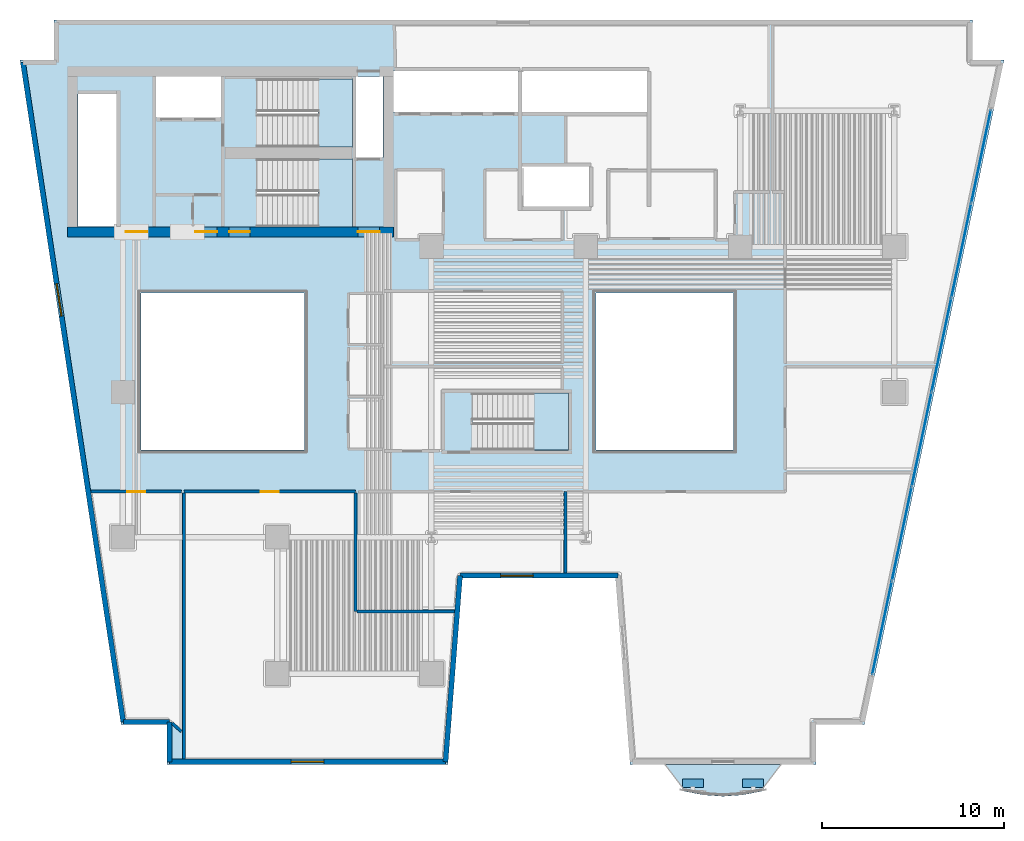
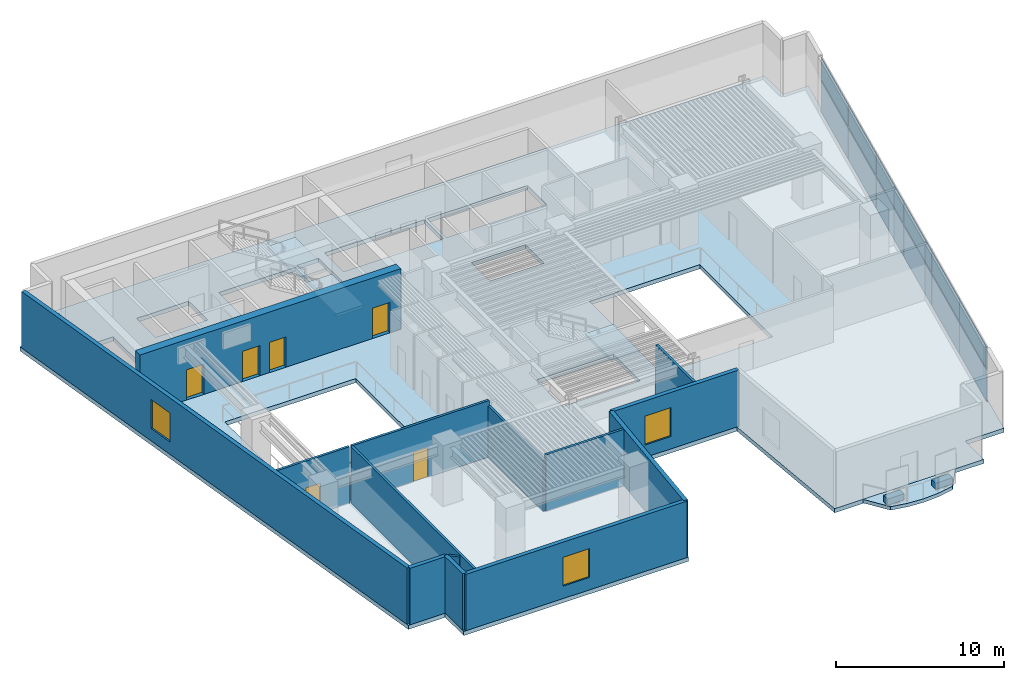
# One storey, part 3 of 11: 14 plates, 14 walls, 6 doors, 5 slabs, 3 windows, 9 openings, 4 elements without a shape of their own.
"""IFC4 building model written with IfcOpenShell, lengths in metres."""

from ifc_helpers import new_model, si_unit, direction, frame, frame_2d, origin, origin_2d, place, context, subcontext, project, spatial, polyline, rectangle, outline, extrude, material, layer, layer_set, type_object, element, fill, aggregate, save


model = new_model("IFC4")

# Units and contexts
model_context = context("Model", 3, precision=1e-05, world=origin(), true_north=direction((0.0, 1.0)))
body_context = subcontext(model_context, "Body", "Model", "MODEL_VIEW")
ifc_project = project(units=[si_unit("LENGTHUNIT", "METRE"), si_unit("AREAUNIT", "SQUARE_METRE"), si_unit("VOLUMEUNIT", "CUBIC_METRE"), si_unit("PLANEANGLEUNIT", "RADIAN"), si_unit("MASSUNIT", "GRAM", prefix="KILO")], contexts=[model_context])

# Site, building, storey
site_placement = place(None, origin())
site = spatial("IfcSite", under=ifc_project, at=site_placement, CompositionType="ELEMENT")
building_placement = place(site_placement, origin())
building = spatial("IfcBuilding", under=site, at=building_placement, Name="Caeloran Harvest Quay", CompositionType="ELEMENT")
storey_placement = place(building_placement, frame((0.0, 0.0, 66.60009765625)))
storey = spatial("IfcBuildingStorey", under=building, at=storey_placement, Name="L15", CompositionType="ELEMENT", Elevation=66.60009765625)

# Slab
ifc_material_1 = material(Name="Concrete C50/60", Category="concrete")
ifc_layer_1 = layer(ifc_material_1, 0.260009765625, Name="Concrete C50/60")
ifc_layer_set_1 = layer_set([ifc_layer_1], Name="Concrete C50/60")
slab_type_1 = type_object("IfcSlabType", Name="BALCONY-BL-260", PredefinedType="FLOOR", material=ifc_layer_set_1)
slab_1_placement = place(storey_placement, frame((0.0, 0.0, -0.260009765625)))
element("IfcSlab", 1, at=slab_1_placement, inside=storey, type_object=slab_type_1, Name="L15 Scalloped Cantilevered Planted Balcony Slab", PredefinedType="FLOOR", context=body_context, shape_type="SweptSolid", body=[
    extrude(outline(polyline([(43.686767578125, 1.0126953125), (42.622802734375, 0.809814453125), (41.55859375, 0.735595703125), (40.494384765625, 0.809814453125), (39.43017578125, 1.0126953125), (38.380126953125, 2.5), (44.73681640625, 2.5), (43.686767578125, 1.0126953125)])), origin(), (0.0, 0.0, 1.0), 0.260009765625),
])

# Curtain wall, plates
ifc_material_2 = material(Name="Aluminium 6063-T6 and Low-E Glazing", Category="aluminium")
ifc_layer_2 = layer(ifc_material_2, 0.199951171875, Name="Aluminium 6063-T6 and Low-E Glazing")
ifc_layer_set_2 = layer_set([ifc_layer_2], Name="Aluminium 6063-T6 and Low-E Glazing")
curtain_wall_type = type_object("IfcCurtainWallType", Name="CW-SYS-CW-2", PredefinedType="USERDEFINED", material=ifc_layer_set_2)
curtain_wall_placement = place(storey_placement, origin())
curtain_wall = element("IfcCurtainWall", 2, at=curtain_wall_placement, inside=storey, type_object=curtain_wall_type, Name="L15 Unitised Curtain Wall CW-2 Run 9", ObjectType="CURTAIN_WALL", PredefinedType="USERDEFINED")
ifc_material_3 = material(Name="Low-E Double Glazed Vision Glass Unit", Category="glass")
ifc_layer_3 = layer(ifc_material_3, 0.035888671875, Name="Low-E Double Glazed Vision Glass Unit")
ifc_layer_set_3 = layer_set([ifc_layer_3], Name="Low-E Double Glazed Vision Glass Unit")
plate_type_1 = type_object("IfcPlateType", Name="CW-VISION-PANEL", PredefinedType="CURTAIN_PANEL", material=ifc_layer_set_3)
plate_1_placement = place(storey_placement, frame((55.780029296875, 35.993408203125, 0.080078125), z_axis=(0.0, 0.0, 1.0), x_axis=(-0.205582960081, -0.978639691881, 0.0)))
plate_1 = element("IfcPlate", 3, at=plate_1_placement, type_object=plate_type_1, Name="CW-2 panel 1.1", PredefinedType="CURTAIN_PANEL", context=body_context, shape_type="SweptSolid", body=[
    extrude(rectangle(XDim=5.19873046875, YDim=0.035888671875, at=origin_2d()), origin(), (0.0, 0.0, 1.0), 2.280029296875),
])
plate_2_placement = place(storey_placement, frame((55.780029296875, 35.993408203125, 2.43994140625), z_axis=(0.0, 0.0, 1.0), x_axis=(-0.205582960081, -0.978639691881, 0.0)))
plate_2 = element("IfcPlate", 4, at=plate_2_placement, type_object=plate_type_1, Name="CW-2 panel 1.2", PredefinedType="CURTAIN_PANEL", context=body_context, shape_type="SweptSolid", body=[
    extrude(rectangle(XDim=5.19873046875, YDim=0.035888671875, at=origin_2d()), origin(), (0.0, 0.0, 1.0), 1.580078125),
])
plate_3_placement = place(storey_placement, frame((54.690673828125, 30.807861328125, 0.080078125), z_axis=(0.0, 0.0, 1.0), x_axis=(-0.205582960081, -0.978639691881, 0.0)))
plate_3 = element("IfcPlate", 5, at=plate_3_placement, type_object=plate_type_1, Name="CW-2 panel 2.1", PredefinedType="CURTAIN_PANEL", context=body_context, shape_type="SweptSolid", body=[
    extrude(rectangle(XDim=5.23876953125, YDim=0.035888671875, at=origin_2d()), origin(), (0.0, 0.0, 1.0), 2.280029296875),
])
plate_4_placement = place(storey_placement, frame((54.690673828125, 30.807861328125, 2.43994140625), z_axis=(0.0, 0.0, 1.0), x_axis=(-0.205582960081, -0.978639691881, 0.0)))
plate_4 = element("IfcPlate", 6, at=plate_4_placement, type_object=plate_type_1, Name="CW-2 panel 2.2", PredefinedType="CURTAIN_PANEL", context=body_context, shape_type="SweptSolid", body=[
    extrude(rectangle(XDim=5.23876953125, YDim=0.035888671875, at=origin_2d()), origin(), (0.0, 0.0, 1.0), 1.580078125),
])
plate_5_placement = place(storey_placement, frame((53.59716796875, 25.6025390625, 0.080078125), z_axis=(0.0, 0.0, 1.0), x_axis=(-0.205582960081, -0.978639691881, 0.0)))
plate_5 = element("IfcPlate", 7, at=plate_5_placement, type_object=plate_type_1, Name="CW-2 panel 3.1", PredefinedType="CURTAIN_PANEL", context=body_context, shape_type="SweptSolid", body=[
    extrude(rectangle(XDim=5.23876953125, YDim=0.035888671875, at=origin_2d()), origin(), (0.0, 0.0, 1.0), 2.280029296875),
])
plate_6_placement = place(storey_placement, frame((53.59716796875, 25.6025390625, 2.43994140625), z_axis=(0.0, 0.0, 1.0), x_axis=(-0.205582960081, -0.978639691881, 0.0)))
plate_6 = element("IfcPlate", 8, at=plate_6_placement, type_object=plate_type_1, Name="CW-2 panel 3.2", PredefinedType="CURTAIN_PANEL", context=body_context, shape_type="SweptSolid", body=[
    extrude(rectangle(XDim=5.23876953125, YDim=0.035888671875, at=origin_2d()), origin(), (0.0, 0.0, 1.0), 1.580078125),
])
plate_7_placement = place(storey_placement, frame((52.503662109375, 20.3974609375, 0.080078125), z_axis=(0.0, 0.0, 1.0), x_axis=(-0.205582960081, -0.978639691881, 0.0)))
plate_7 = element("IfcPlate", 9, at=plate_7_placement, type_object=plate_type_1, Name="CW-2 panel 4.1", PredefinedType="CURTAIN_PANEL", context=body_context, shape_type="SweptSolid", body=[
    extrude(rectangle(XDim=5.23876953125, YDim=0.035888671875, at=origin_2d()), origin(), (0.0, 0.0, 1.0), 2.280029296875),
])
plate_8_placement = place(storey_placement, frame((52.503662109375, 20.3974609375, 2.43994140625), z_axis=(0.0, 0.0, 1.0), x_axis=(-0.205582960081, -0.978639691881, 0.0)))
plate_8 = element("IfcPlate", 10, at=plate_8_placement, type_object=plate_type_1, Name="CW-2 panel 4.2", PredefinedType="CURTAIN_PANEL", context=body_context, shape_type="SweptSolid", body=[
    extrude(rectangle(XDim=5.23876953125, YDim=0.035888671875, at=origin_2d()), origin(), (0.0, 0.0, 1.0), 1.580078125),
])
plate_9_placement = place(storey_placement, frame((51.41015625, 15.192138671875, 0.080078125), z_axis=(0.0, 0.0, 1.0), x_axis=(-0.205582960081, -0.978639691881, 0.0)))
plate_9 = element("IfcPlate", 11, at=plate_9_placement, type_object=plate_type_1, Name="CW-2 panel 5.1", PredefinedType="CURTAIN_PANEL", context=body_context, shape_type="SweptSolid", body=[
    extrude(rectangle(XDim=5.23876953125, YDim=0.035888671875, at=origin_2d()), origin(), (0.0, 0.0, 1.0), 2.280029296875),
])
plate_10_placement = place(storey_placement, frame((51.41015625, 15.192138671875, 2.43994140625), z_axis=(0.0, 0.0, 1.0), x_axis=(-0.205582960081, -0.978639691881, 0.0)))
plate_10 = element("IfcPlate", 12, at=plate_10_placement, type_object=plate_type_1, Name="CW-2 panel 5.2", PredefinedType="CURTAIN_PANEL", context=body_context, shape_type="SweptSolid", body=[
    extrude(rectangle(XDim=5.23876953125, YDim=0.035888671875, at=origin_2d()), origin(), (0.0, 0.0, 1.0), 1.580078125),
])
plate_11_placement = place(storey_placement, frame((50.321044921875, 10.006591796875, 0.080078125), z_axis=(0.0, 0.0, 1.0), x_axis=(-0.205582960081, -0.978639691881, 0.0)))
plate_11 = element("IfcPlate", 13, at=plate_11_placement, type_object=plate_type_1, Name="CW-2 panel 6.1", PredefinedType="CURTAIN_PANEL", context=body_context, shape_type="SweptSolid", body=[
    extrude(rectangle(XDim=5.19873046875, YDim=0.035888671875, at=origin_2d()), origin(), (0.0, 0.0, 1.0), 2.280029296875),
])
plate_12_placement = place(storey_placement, frame((50.321044921875, 10.006591796875, 2.43994140625), z_axis=(0.0, 0.0, 1.0), x_axis=(-0.205582960081, -0.978639691881, 0.0)))
plate_12 = element("IfcPlate", 14, at=plate_12_placement, type_object=plate_type_1, Name="CW-2 panel 6.2", PredefinedType="CURTAIN_PANEL", context=body_context, shape_type="SweptSolid", body=[
    extrude(rectangle(XDim=5.19873046875, YDim=0.035888671875, at=origin_2d()), origin(), (0.0, 0.0, 1.0), 1.580078125),
])
aggregate(curtain_wall, [plate_1, plate_2, plate_3, plate_4, plate_5, plate_6, plate_7, plate_8, plate_9, plate_10, plate_11, plate_12])

# Plates
ifc_material_4 = material(Name="Precast concrete C50/60", Category="concrete")
ifc_layer_4 = layer(ifc_material_4, 0.449951171875, Name="Precast concrete C50/60")
ifc_layer_set_4 = layer_set([ifc_layer_4], Name="Precast concrete C50/60")
plate_type_2 = type_object("IfcPlateType", Name="PLANTER-TROUGH-450", PredefinedType="USERDEFINED", material=ifc_layer_set_4)
for number, where, z_axis, x_axis, name in (
    (15, (43.218505859375, 1.459228515625, 0.0), (0.0, 0.0, 1.0), (1.0, 0.0, 0.0), "L15 Balcony Vertical-Greenery Precast PLANTER Trough 1"),
    (16, (39.8984375, 1.459228515625, 0.0), (0.0, 0.0, 1.0), (1.0, 0.0, 0.0), "L15 Balcony Vertical-Greenery Precast PLANTER Trough 2"),
):
    element("IfcPlate", number, at=place(storey_placement, frame(where, z_axis=z_axis, x_axis=x_axis)), inside=storey, type_object=plate_type_2, Name=name, ObjectType="PLANTER", PredefinedType="USERDEFINED", context=body_context, shape_type="SweptSolid", body=[
        extrude(rectangle(XDim=1.14990234375, YDim=0.47998046875, at=origin_2d()), origin(), (0.0, 0.0, 1.0), 0.449951171875),
    ])

# Slab
ifc_layer_5 = layer(ifc_material_1, 0.300048828125, Name="Concrete C50/60")
ifc_layer_set_5 = layer_set([ifc_layer_5], Name="Concrete C50/60")
slab_type_2 = type_object("IfcSlabType", Name="SLAB-FS-300", PredefinedType="FLOOR", material=ifc_layer_set_5)
slab_2_placement = place(storey_placement, frame((0.0, 0.0, -0.300048828125)))
element("IfcSlab", 17, at=slab_2_placement, inside=storey, type_object=slab_type_2, Name="L15 Structural Floor Slab", PredefinedType="FLOOR", context=body_context, shape_type="SweptSolid", body=[
    extrude(outline(polyline([(10.93701171875, 2.5), (26.403076171875, 2.5), (27.202880859375, 12.75), (35.640380859375, 12.75), (36.4404296875, 2.5), (46.68701171875, 2.5), (46.68701171875, 4.699951171875), (49.34912109375, 4.699951171875), (57.037841796875, 41.300048828125), (55.300048828125, 41.300048828125), (55.300048828125, 43.5), (4.699951171875, 43.5), (4.699951171875, 41.300048828125), (2.834716796875, 41.300048828125), (8.40234375, 4.699951171875), (10.93701171875, 4.699951171875), (10.93701171875, 2.5)]), holes=[polyline([(18.5, 19.800048828125), (9.5, 19.800048828125), (9.5, 28.449951171875), (18.5, 28.449951171875), (18.5, 19.800048828125)]), polyline([(15.89990234375, 32.10009765625), (15.89990234375, 35.85009765625), (21.14990234375, 35.85009765625), (21.14990234375, 32.10009765625), (15.89990234375, 32.10009765625)]), polyline([(8.159912109375, 32.1201171875), (6.02001953125, 32.1201171875), (6.02001953125, 39.419921875), (8.159912109375, 39.419921875), (8.159912109375, 32.1201171875)]), polyline([(21.35009765625, 35.919921875), (21.35009765625, 40.3798828125), (22.830078125, 40.3798828125), (22.830078125, 35.919921875), (21.35009765625, 35.919921875)]), polyline([(15.89990234375, 40.25), (21.14990234375, 40.25), (21.14990234375, 36.5), (15.89990234375, 36.5), (15.89990234375, 40.25)]), polyline([(13.89990234375, 38.1201171875), (10.320068359375, 38.1201171875), (10.320068359375, 40.3798828125), (13.89990234375, 40.3798828125), (13.89990234375, 38.1201171875)]), polyline([(27.75, 22.949951171875), (33.050048828125, 22.949951171875), (33.050048828125, 19.800048828125), (27.75, 19.800048828125), (27.75, 22.949951171875)]), polyline([(34.550048828125, 19.800048828125), (34.550048828125, 28.449951171875), (42.14990234375, 28.449951171875), (42.14990234375, 19.800048828125), (34.550048828125, 19.800048828125)]), polyline([(34.199951171875, 33.219970703125), (30.47998046875, 33.219970703125), (30.47998046875, 35.429931640625), (34.199951171875, 35.429931640625), (34.199951171875, 33.219970703125)]), polyline([(23.419921875, 38.419921875), (23.419921875, 40.679931640625), (30.280029296875, 40.679931640625), (30.280029296875, 38.419921875), (23.419921875, 38.419921875)]), polyline([(30.47998046875, 38.419921875), (30.47998046875, 40.679931640625), (37.3798828125, 40.679931640625), (37.3798828125, 38.419921875), (30.47998046875, 38.419921875)])]), origin(), (0.0, 0.0, 1.0), 0.300048828125),
])

# Stair, slab
stair_type_1 = type_object("IfcStairType", Name="STAIR-STC-180", PredefinedType="HALF_TURN_STAIR", material=ifc_material_1)
stair_1_placement = place(storey_placement, origin())
stair_1 = element("IfcStair", 18, at=stair_1_placement, inside=storey, type_object=stair_type_1, Name="L15 Core Pressurized Exit Stair ST-C1", PredefinedType="HALF_TURN_STAIR")
ifc_layer_6 = layer(ifc_material_1, 0.219970703125, Name="Concrete C50/60")
ifc_layer_set_6 = layer_set([ifc_layer_6], Name="Concrete C50/60")
slab_type_3 = type_object("IfcSlabType", Name="STAIR-LANDING-220", PredefinedType="LANDING", material=ifc_layer_set_6)
slab_3_placement = place(storey_placement, frame((0.0, 0.0, 2.0)))
slab_3 = element("IfcSlab", 19, at=slab_3_placement, type_object=slab_type_3, Name="ST-C1 landing 1", PredefinedType="LANDING", context=body_context, shape_type="SweptSolid", body=[
    extrude(outline(polyline([(19.260009765625, 36.5), (21.14990234375, 36.5), (21.14990234375, 40.25), (19.260009765625, 40.25), (19.260009765625, 36.5)])), origin(), (0.0, 0.0, 1.0), 0.199951171875),
])
aggregate(stair_1, [slab_3])

stair_2_placement = place(storey_placement, origin())
stair_2 = element("IfcStair", 20, at=stair_2_placement, inside=storey, type_object=stair_type_1, Name="L15 Core Pressurized Exit Stair ST-C2", PredefinedType="HALF_TURN_STAIR")
slab_4_placement = place(storey_placement, frame((0.0, 0.0, 2.0)))
slab_4 = element("IfcSlab", 21, at=slab_4_placement, type_object=slab_type_3, Name="ST-C2 landing 1", PredefinedType="LANDING", context=body_context, shape_type="SweptSolid", body=[
    extrude(outline(polyline([(19.260009765625, 32.10009765625), (21.14990234375, 32.10009765625), (21.14990234375, 35.85009765625), (19.260009765625, 35.85009765625), (19.260009765625, 32.10009765625)])), origin(), (0.0, 0.0, 1.0), 0.199951171875),
])
aggregate(stair_2, [slab_4])

stair_type_2 = type_object("IfcStairType", Name="STAIR-STW-150", PredefinedType="HALF_TURN_STAIR", material=ifc_material_1)
stair_3_placement = place(storey_placement, origin())
stair_3 = element("IfcStair", 22, at=stair_3_placement, inside=storey, type_object=stair_type_2, Name="L15 East Wing Protected Exit Stair ST-W1", PredefinedType="HALF_TURN_STAIR")
slab_5_placement = place(storey_placement, frame((0.0, 0.0, 2.0)))
slab_5 = element("IfcSlab", 23, at=slab_5_placement, type_object=slab_type_3, Name="ST-W1 landing 1", PredefinedType="LANDING", context=body_context, shape_type="SweptSolid", body=[
    extrude(outline(polyline([(31.110107421875, 19.800048828125), (33.050048828125, 19.800048828125), (33.050048828125, 22.949951171875), (31.110107421875, 22.949951171875), (31.110107421875, 19.800048828125)])), origin(), (0.0, 0.0, 1.0), 0.199951171875),
])
aggregate(stair_3, [slab_5])

# Walls
ifc_layer_7 = layer(ifc_material_4, 0.280029296875, Name="Precast concrete C50/60")
ifc_layer_set_7 = layer_set([ifc_layer_7], Name="Precast concrete C50/60")
wall_type_1 = type_object("IfcWallType", Name="ENV-WALL-EW-280", PredefinedType="STANDARD", material=ifc_layer_set_7)
wall_1_placement = place(storey_placement, frame((11.076904296875, 2.639892578125, 0.0), z_axis=(0.0, 0.0, 1.0), x_axis=(0.0, 1.0, 0.0)))
element("IfcWall", 24, at=wall_1_placement, inside=storey, type_object=wall_type_1, Name="L15 Exterior Precast Concrete Facade Wall 1", PredefinedType="STANDARD", context=body_context, shape_type="SweptSolid", body=[
    extrude(rectangle(XDim=2.2001953125, YDim=0.280029296875, at=frame_2d((1.10009765625, 0.0))), origin(), (0.0, 0.0, 1.0), 4.099853515625),
])
wall_2_placement = place(storey_placement, frame((11.076904296875, 4.840087890625, 0.0), z_axis=(0.0, 0.0, 1.0), x_axis=(-1.0, 0.0, 0.0)))
element("IfcWall", 25, at=wall_2_placement, inside=storey, type_object=wall_type_1, Name="L15 Exterior Precast Concrete Facade Wall 2", PredefinedType="STANDARD", context=body_context, shape_type="SweptSolid", body=[
    extrude(rectangle(XDim=2.55419921875, YDim=0.280029296875, at=frame_2d((1.277099609375, 0.0))), origin(), (0.0, 0.0, 1.0), 4.099853515625),
])

# Wall, opening, window
wall_3_placement = place(storey_placement, frame((8.522705078125, 4.840087890625, 0.0), z_axis=(0.0, 0.0, 1.0), x_axis=(-0.150394554312, 0.988626055712, 0.0)))
wall_3 = element("IfcWall", 26, at=wall_3_placement, inside=storey, type_object=wall_type_1, Name="L15 Exterior Precast Concrete Facade Wall 3", PredefinedType="STANDARD", context=body_context, shape_type="SweptSolid", body=[
    extrude(rectangle(XDim=36.73779296875, YDim=0.280029296875, at=frame_2d((18.368896484375, 0.0))), origin(), (0.0, 0.0, 1.0), 4.099853515625),
])
opening_1_placement = place(wall_3_placement, frame((22.612060546875, 0.0, 0.89990234375)))
opening_1 = element("IfcOpeningElement", 27, at=opening_1_placement, cuts=wall_3, Name="Opening W-01", PredefinedType="OPENING", context=body_context, shape_type="SweptSolid", body=[
    extrude(rectangle(XDim=1.800048828125, YDim=2.10009765625, at=frame_2d((0.89990234375, 1.050048828125))), frame((0.0, 0.14990234375, 0.0), z_axis=(0.0, -1.0, 0.0), x_axis=(1.0, 0.0, 0.0)), (0.0, 0.0, 1.0), 0.300048828125),
])
ifc_material_5 = material(Name="Aluminium-Framed Low-E Laminated Glass", Category="aluminium")
window_type = type_object("IfcWindowType", Name="WIN-W-01", PartitioningType="SINGLE_PANEL", PredefinedType="WINDOW", material=ifc_material_5)
window_1_placement = place(opening_1_placement, origin())
window_1 = element("IfcWindow", 28, at=window_1_placement, inside=storey, type_object=window_type, Name="L15 Facade Punched Window W-01", OverallHeight=2.10009765625, OverallWidth=1.800048828125, PartitioningType="SINGLE_PANEL", PredefinedType="WINDOW", context=body_context, shape_type="SweptSolid", body=[
    extrude(rectangle(XDim=1.800048828125, YDim=2.10009765625, at=frame_2d((0.89990234375, 1.050048828125))), frame((0.0, 0.030029296875, 0.0), z_axis=(0.0, -1.0, 0.0), x_axis=(1.0, 0.0, 0.0)), (0.0, 0.0, 1.0), 0.06005859375),
])
fill(opening_1, window_1)

wall_4_placement = place(storey_placement, frame((35.77001953125, 12.889892578125, 0.0), z_axis=(0.0, 0.0, 1.0), x_axis=(-1.0, 0.0, 0.0)))
wall_4 = element("IfcWall", 29, at=wall_4_placement, inside=storey, type_object=wall_type_1, Name="L15 Exterior Precast Concrete Facade Wall 14", PredefinedType="STANDARD", context=body_context, shape_type="SweptSolid", body=[
    extrude(rectangle(XDim=8.696533203125, YDim=0.280029296875, at=frame_2d((4.34814453125, 0.0))), origin(), (0.0, 0.0, 1.0), 4.099853515625),
])
opening_2_placement = place(wall_4_placement, frame((4.666015625, 0.0, 0.89990234375)))
opening_2 = element("IfcOpeningElement", 30, at=opening_2_placement, cuts=wall_4, Name="Opening W-01", PredefinedType="OPENING", context=body_context, shape_type="SweptSolid", body=[
    extrude(rectangle(XDim=1.800048828125, YDim=2.10009765625, at=frame_2d((0.89990234375, 1.050048828125))), frame((0.0, 0.14990234375, 0.0), z_axis=(0.0, -1.0, 0.0), x_axis=(1.0, 0.0, 0.0)), (0.0, 0.0, 1.0), 0.300048828125),
])
window_2_placement = place(opening_2_placement, origin())
window_2 = element("IfcWindow", 31, at=window_2_placement, inside=storey, type_object=window_type, Name="L15 Facade Punched Window W-01", OverallHeight=2.10009765625, OverallWidth=1.800048828125, PartitioningType="SINGLE_PANEL", PredefinedType="WINDOW", context=body_context, shape_type="SweptSolid", body=[
    extrude(rectangle(XDim=1.800048828125, YDim=2.10009765625, at=frame_2d((0.89990234375, 1.050048828125))), frame((0.0, 0.030029296875, 0.0), z_axis=(0.0, -1.0, 0.0), x_axis=(1.0, 0.0, 0.0)), (0.0, 0.0, 1.0), 0.06005859375),
])
fill(opening_2, window_2)

# Wall
wall_5_placement = place(storey_placement, frame((27.073486328125, 12.889892578125, 0.0), z_axis=(0.0, 0.0, 1.0), x_axis=(-0.077816860153, -0.996967670627, 0.0)))
element("IfcWall", 32, at=wall_5_placement, inside=storey, type_object=wall_type_1, Name="L15 Exterior Precast Concrete Facade Wall 15", PredefinedType="STANDARD", context=body_context, shape_type="SweptSolid", body=[
    extrude(rectangle(XDim=10.28125, YDim=0.280029296875, at=frame_2d((5.140625, 0.0))), origin(), (0.0, 0.0, 1.0), 4.099853515625),
])

# Wall, opening, window
wall_6_placement = place(storey_placement, frame((26.2734375, 2.639892578125, 0.0), z_axis=(0.0, 0.0, 1.0), x_axis=(-1.0, 0.0, 0.0)))
wall_6 = element("IfcWall", 33, at=wall_6_placement, inside=storey, type_object=wall_type_1, Name="L15 Exterior Precast Concrete Facade Wall 16", PredefinedType="STANDARD", context=body_context, shape_type="SweptSolid", body=[
    extrude(rectangle(XDim=15.196533203125, YDim=0.280029296875, at=frame_2d((7.59814453125, 0.0))), origin(), (0.0, 0.0, 1.0), 4.099853515625),
])
opening_3_placement = place(wall_6_placement, frame((6.697998046875, 0.0, 0.89990234375)))
opening_3 = element("IfcOpeningElement", 34, at=opening_3_placement, cuts=wall_6, Name="Opening W-01", PredefinedType="OPENING", context=body_context, shape_type="SweptSolid", body=[
    extrude(rectangle(XDim=1.800048828125, YDim=2.10009765625, at=frame_2d((0.89990234375, 1.050048828125))), frame((0.0, 0.14990234375, 0.0), z_axis=(0.0, -1.0, 0.0), x_axis=(1.0, 0.0, 0.0)), (0.0, 0.0, 1.0), 0.300048828125),
])
window_3_placement = place(opening_3_placement, origin())
window_3 = element("IfcWindow", 35, at=window_3_placement, inside=storey, type_object=window_type, Name="L15 Facade Punched Window W-01", OverallHeight=2.10009765625, OverallWidth=1.800048828125, PartitioningType="SINGLE_PANEL", PredefinedType="WINDOW", context=body_context, shape_type="SweptSolid", body=[
    extrude(rectangle(XDim=1.800048828125, YDim=2.10009765625, at=frame_2d((0.89990234375, 1.050048828125))), frame((0.0, 0.030029296875, 0.0), z_axis=(0.0, -1.0, 0.0), x_axis=(1.0, 0.0, 0.0)), (0.0, 0.0, 1.0), 0.06005859375),
])
fill(opening_3, window_3)

# Wall, opening, door
ifc_material_6 = material(Name="Autoclaved Aerated Concrete Blockwork", Category="masonry")
ifc_layer_8 = layer(ifc_material_6, 0.1650390625, Name="Autoclaved Aerated Concrete Blockwork")
ifc_layer_set_8 = layer_set([ifc_layer_8], Name="Autoclaved Aerated Concrete Blockwork")
wall_type_2 = type_object("IfcWallType", Name="INT-WALL-PW-165", PredefinedType="PARTITIONING", material=ifc_layer_set_8)
wall_7_placement = place(storey_placement, frame((11.8798828125, 17.52001953125, 0.0), z_axis=(0.0, 0.0, 1.0), x_axis=(1.0, 0.0, 0.0)))
wall_7 = element("IfcWall", 36, at=wall_7_placement, inside=storey, type_object=wall_type_2, Name="Dwarf Citrus Mezzanine Growing Hall Partition Wall", PredefinedType="PARTITIONING", context=body_context, shape_type="SweptSolid", body=[
    extrude(rectangle(XDim=9.440185546875, YDim=0.1650390625, at=frame_2d((4.72021484375, 0.0))), origin(), (0.0, 0.0, 1.0), 4.099853515625),
])
opening_4_placement = place(wall_7_placement, frame((4.219970703125, 0.0, 0.0)))
opening_4 = element("IfcOpeningElement", 37, at=opening_4_placement, cuts=wall_7, Name="Opening ID-01", PredefinedType="OPENING", context=body_context, shape_type="SweptSolid", body=[
    extrude(rectangle(XDim=1.0, YDim=2.14990234375, at=frame_2d((0.5, 1.074951171875))), frame((0.0, 0.092529296875, 0.0), z_axis=(0.0, -1.0, 0.0), x_axis=(1.0, 0.0, 0.0)), (0.0, 0.0, 1.0), 0.18505859375),
])
ifc_material_7 = material(Name="FSC Solid-Core Ash Timber and Acoustic Seal", Category="wood")
door_type_1 = type_object("IfcDoorType", Name="INTDOOR-ID-01", OperationType="NOTDEFINED", PredefinedType="DOOR", material=ifc_material_7)
door_1_placement = place(opening_4_placement, origin())
door_1 = element("IfcDoor", 38, at=door_1_placement, inside=storey, type_object=door_type_1, Name="Dwarf Citrus Mezzanine Growing Hall Access Door", OperationType="SINGLE_SWING_RIGHT", OverallHeight=2.14990234375, OverallWidth=1.0, PredefinedType="DOOR", context=body_context, shape_type="SweptSolid", body=[
    extrude(rectangle(XDim=1.0, YDim=2.14990234375, at=frame_2d((0.5, 1.074951171875))), frame((0.0, 0.02490234375, 0.0), z_axis=(0.0, -1.0, 0.0), x_axis=(1.0, 0.0, 0.0)), (0.0, 0.0, 1.0), 0.050048828125),
])
fill(opening_4, door_1)

# Walls
wall_8_placement = place(storey_placement, frame((21.320068359375, 17.4326171875, 0.0), z_axis=(0.0, 0.0, 1.0), x_axis=(0.0, -1.0, 0.0)))
element("IfcWall", 39, at=wall_8_placement, inside=storey, type_object=wall_type_2, Name="Dwarf Citrus Mezzanine Growing Hall Partition Wall", PredefinedType="PARTITIONING", context=body_context, shape_type="SweptSolid", body=[
    extrude(rectangle(XDim=6.5126953125, YDim=0.1650390625, at=frame_2d((3.25634765625, 0.0))), origin(), (0.0, 0.0, 1.0), 3.724853515625),
])
wall_9_placement = place(storey_placement, frame((21.407470703125, 10.919921875, 0.0), z_axis=(0.0, 0.0, 1.0), x_axis=(1.0, 0.0, 0.0)))
element("IfcWall", 40, at=wall_9_placement, inside=storey, type_object=wall_type_2, Name="Dwarf Citrus Mezzanine Growing Hall Partition Wall", PredefinedType="PARTITIONING", context=body_context, shape_type="SweptSolid", body=[
    extrude(rectangle(XDim=5.366943359375, YDim=0.1650390625, at=frame_2d((2.68359375, 0.0))), origin(), (0.0, 0.0, 1.0), 4.099853515625),
])
wall_10_placement = place(storey_placement, frame((11.8798828125, 2.784912109375, 0.0), z_axis=(0.0, 0.0, 1.0), x_axis=(0.0, 1.0, 0.0)))
element("IfcWall", 41, at=wall_10_placement, inside=storey, type_object=wall_type_2, Name="Dwarf Citrus Mezzanine Growing Hall Partition Wall", PredefinedType="PARTITIONING", context=body_context, shape_type="SweptSolid", body=[
    extrude(rectangle(XDim=14.647705078125, YDim=0.1650390625, at=frame_2d((7.32373046875, 0.0))), origin(), (0.0, 0.0, 1.0), 4.099853515625),
])
wall_11_placement = place(storey_placement, frame((32.8798828125, 13.034912109375, 0.0), z_axis=(0.0, 0.0, 1.0), x_axis=(0.0, 1.0, 0.0)))
element("IfcWall", 42, at=wall_11_placement, inside=storey, type_object=wall_type_2, Name="Medicinal Plant Aeroponic Room Partition Wall", PredefinedType="PARTITIONING", context=body_context, shape_type="SweptSolid", body=[
    extrude(rectangle(XDim=4.485107421875, YDim=0.1650390625, at=frame_2d((2.24267578125, 0.0))), origin(), (0.0, 0.0, 1.0), 4.099853515625),
])
wall_12_placement = place(storey_placement, frame((11.719970703125, 4.31396484375, 0.0), z_axis=(0.0, 0.0, 1.0), x_axis=(-0.741303295748, 0.671170189827, 0.0)))
element("IfcWall", 43, at=wall_12_placement, inside=storey, type_object=wall_type_2, Name="Photobiology Spectrum Laboratory Partition Wall", PredefinedType="PARTITIONING", context=body_context, shape_type="SweptSolid", body=[
    extrude(rectangle(XDim=0.671875, YDim=0.1650390625, at=frame_2d((0.3359375, 0.0))), origin(), (0.0, 0.0, 1.0), 4.099853515625),
])

# Wall, opening, door
wall_13_placement = place(storey_placement, frame((6.740478515625, 17.52001953125, 0.0), z_axis=(0.0, 0.0, 1.0), x_axis=(1.0, 0.0, 0.0)))
wall_13 = element("IfcWall", 44, at=wall_13_placement, inside=storey, type_object=wall_type_2, Name="Photobiology Spectrum Laboratory Partition Wall", PredefinedType="PARTITIONING", context=body_context, shape_type="SweptSolid", body=[
    extrude(rectangle(XDim=4.9794921875, YDim=0.1650390625, at=frame_2d((2.48974609375, 0.0))), origin(), (0.0, 0.0, 1.0), 4.099853515625),
])
opening_5_placement = place(wall_13_placement, frame((1.98974609375, 0.0, 0.0)))
opening_5 = element("IfcOpeningElement", 45, at=opening_5_placement, cuts=wall_13, Name="Opening ID-01", PredefinedType="OPENING", context=body_context, shape_type="SweptSolid", body=[
    extrude(rectangle(XDim=1.0, YDim=2.14990234375, at=frame_2d((0.5, 1.074951171875))), frame((0.0, 0.092529296875, 0.0), z_axis=(0.0, -1.0, 0.0), x_axis=(1.0, 0.0, 0.0)), (0.0, 0.0, 1.0), 0.18505859375),
])
door_2_placement = place(opening_5_placement, origin())
door_2 = element("IfcDoor", 46, at=door_2_placement, inside=storey, type_object=door_type_1, Name="Photobiology Spectrum Laboratory Access Door", OperationType="SINGLE_SWING_RIGHT", OverallHeight=2.14990234375, OverallWidth=1.0, PredefinedType="DOOR", context=body_context, shape_type="SweptSolid", body=[
    extrude(rectangle(XDim=1.0, YDim=2.14990234375, at=frame_2d((0.5, 1.074951171875))), frame((0.0, 0.02490234375, 0.0), z_axis=(0.0, -1.0, 0.0), x_axis=(1.0, 0.0, 0.0)), (0.0, 0.0, 1.0), 0.050048828125),
])
fill(opening_5, door_2)

# Wall, openings, doors
ifc_material_8 = material(Name="Concrete C80/95", Category="concrete")
ifc_layer_9 = layer(ifc_material_8, 0.550048828125, Name="Concrete C80/95")
ifc_layer_set_9 = layer_set([ifc_layer_9], Name="Concrete C80/95")
wall_type_3 = type_object("IfcWallType", Name="STR-WALL-CW-550", PredefinedType="SHEAR", material=ifc_layer_set_9)
wall_14_placement = place(storey_placement, frame((5.449951171875, 31.824951171875, 0.0), z_axis=(0.0, 0.0, 1.0), x_axis=(1.0, 0.0, 0.0)))
wall_14 = element("IfcWall", 47, at=wall_14_placement, inside=storey, type_object=wall_type_3, Name="L15 Rear Core Shear Wall S", PredefinedType="SHEAR", context=body_context, shape_type="SweptSolid", body=[
    extrude(rectangle(XDim=17.949951171875, YDim=0.550048828125, at=frame_2d((8.97509765625, 0.0))), origin(), (0.0, 0.0, 1.0), 4.39990234375),
])
opening_6_placement = place(wall_14_placement, frame((3.199951171875, 0.0, 0.0)))
opening_6 = element("IfcOpeningElement", 48, at=opening_6_placement, cuts=wall_14, Name="Opening FD-01", PredefinedType="OPENING", context=body_context, shape_type="SweptSolid", body=[
    extrude(rectangle(XDim=1.199951171875, YDim=2.199951171875, at=frame_2d((0.60009765625, 1.10009765625))), frame((0.0, 0.28515625, 0.0), z_axis=(0.0, -1.0, 0.0), x_axis=(1.0, 0.0, 0.0)), (0.0, 0.0, 1.0), 0.570068359375),
])
opening_7_placement = place(wall_14_placement, frame((7.050048828125, 0.0, 0.0)))
opening_7 = element("IfcOpeningElement", 49, at=opening_7_placement, cuts=wall_14, Name="Opening FD-01", PredefinedType="OPENING", context=body_context, shape_type="SweptSolid", body=[
    extrude(rectangle(XDim=1.199951171875, YDim=2.199951171875, at=frame_2d((0.60009765625, 1.10009765625))), frame((0.0, 0.28515625, 0.0), z_axis=(0.0, -1.0, 0.0), x_axis=(1.0, 0.0, 0.0)), (0.0, 0.0, 1.0), 0.570068359375),
])
opening_8_placement = place(wall_14_placement, frame((8.89990234375, 0.0, 0.0)))
opening_8 = element("IfcOpeningElement", 50, at=opening_8_placement, cuts=wall_14, Name="Opening SD-01", PredefinedType="OPENING", context=body_context, shape_type="SweptSolid", body=[
    extrude(rectangle(XDim=1.14990234375, YDim=2.199951171875, at=frame_2d((0.574951171875, 1.10009765625))), frame((0.0, 0.28515625, 0.0), z_axis=(0.0, -1.0, 0.0), x_axis=(1.0, 0.0, 0.0)), (0.0, 0.0, 1.0), 0.570068359375),
])
opening_9_placement = place(wall_14_placement, frame((16.0, 0.0, 0.0)))
opening_9 = element("IfcOpeningElement", 51, at=opening_9_placement, cuts=wall_14, Name="Opening FD-01", PredefinedType="OPENING", context=body_context, shape_type="SweptSolid", body=[
    extrude(rectangle(XDim=1.199951171875, YDim=2.199951171875, at=frame_2d((0.60009765625, 1.10009765625))), frame((0.0, 0.28515625, 0.0), z_axis=(0.0, -1.0, 0.0), x_axis=(1.0, 0.0, 0.0)), (0.0, 0.0, 1.0), 0.570068359375),
])
ifc_material_9 = material(Name="Steel", Category="steel")
door_type_2 = type_object("IfcDoorType", Name="INTDOOR-FD-01", OperationType="NOTDEFINED", PredefinedType="DOOR", material=ifc_material_9)
door_3_placement = place(opening_6_placement, origin())
door_3 = element("IfcDoor", 52, at=door_3_placement, inside=storey, type_object=door_type_2, Name="L15 High-Rise Lift Lobby Fire Door", OperationType="SINGLE_SWING_RIGHT", OverallHeight=2.199951171875, OverallWidth=1.199951171875, PredefinedType="DOOR", context=body_context, shape_type="SweptSolid", body=[
    extrude(rectangle(XDim=1.199951171875, YDim=2.199951171875, at=frame_2d((0.60009765625, 1.10009765625))), frame((0.0, 0.02490234375, 0.0), z_axis=(0.0, -1.0, 0.0), x_axis=(1.0, 0.0, 0.0)), (0.0, 0.0, 1.0), 0.050048828125),
])
fill(opening_6, door_3)
door_4_placement = place(opening_7_placement, origin())
door_4 = element("IfcDoor", 53, at=door_4_placement, inside=storey, type_object=door_type_2, Name="L15 Firefighting Lobby Vestibule Fire Door", OperationType="SINGLE_SWING_LEFT", OverallHeight=2.199951171875, OverallWidth=1.199951171875, PredefinedType="DOOR", context=body_context, shape_type="SweptSolid", body=[
    extrude(rectangle(XDim=1.199951171875, YDim=2.199951171875, at=frame_2d((0.60009765625, 1.10009765625))), frame((0.0, 0.02490234375, 0.0), z_axis=(0.0, -1.0, 0.0), x_axis=(1.0, 0.0, 0.0)), (0.0, 0.0, 1.0), 0.050048828125),
])
fill(opening_7, door_4)
door_5_placement = place(opening_9_placement, origin())
door_5 = element("IfcDoor", 54, at=door_5_placement, inside=storey, type_object=door_type_2, Name="L15 Service Lift Lobby Fire Door", OperationType="SINGLE_SWING_LEFT", OverallHeight=2.199951171875, OverallWidth=1.199951171875, PredefinedType="DOOR", context=body_context, shape_type="SweptSolid", body=[
    extrude(rectangle(XDim=1.199951171875, YDim=2.199951171875, at=frame_2d((0.60009765625, 1.10009765625))), frame((0.0, 0.02490234375, 0.0), z_axis=(0.0, -1.0, 0.0), x_axis=(1.0, 0.0, 0.0)), (0.0, 0.0, 1.0), 0.050048828125),
])
fill(opening_9, door_5)
door_type_3 = type_object("IfcDoorType", Name="INTDOOR-SD-01", OperationType="NOTDEFINED", PredefinedType="DOOR", material=ifc_material_9)
door_6_placement = place(opening_8_placement, origin())
door_6 = element("IfcDoor", 55, at=door_6_placement, inside=storey, type_object=door_type_3, Name="L15 Protected Stair ST-C2 Exit Door", OperationType="SINGLE_SWING_RIGHT", OverallHeight=2.199951171875, OverallWidth=1.14990234375, PredefinedType="DOOR", context=body_context, shape_type="SweptSolid", body=[
    extrude(rectangle(XDim=1.14990234375, YDim=2.199951171875, at=frame_2d((0.574951171875, 1.10009765625))), frame((0.0, 0.02490234375, 0.0), z_axis=(0.0, -1.0, 0.0), x_axis=(1.0, 0.0, 0.0)), (0.0, 0.0, 1.0), 0.050048828125),
])
fill(opening_8, door_6)

save(model, "model.ifc")
